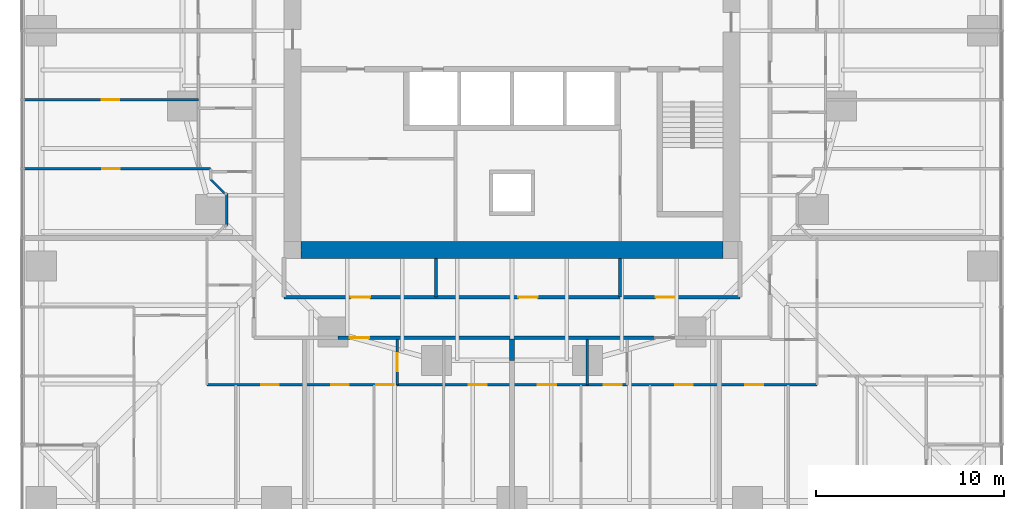
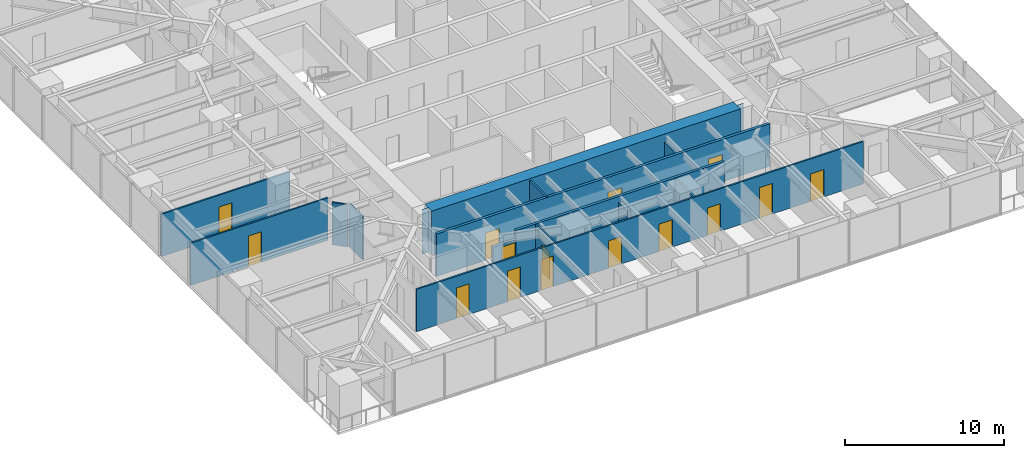
# One storey, part 9 of 18: 15 doors, 14 walls, 15 openings.
"""IFC4 building model written with IfcOpenShell, lengths in metres."""

from ifc_helpers import new_model, si_unit, direction, frame, frame_2d, origin, place, context, subcontext, project, spatial, polyline, rectangle, outline, extrude, material, layer, layer_set, type_object, element, fill, save


model = new_model("IFC4")

# Units and contexts
model_context = context("Model", 3, precision=1e-05, world=origin(), true_north=direction((0.0, 1.0)))
body_context = subcontext(model_context, "Body", "Model", "MODEL_VIEW")
ifc_project = project(units=[si_unit("LENGTHUNIT", "METRE"), si_unit("AREAUNIT", "SQUARE_METRE"), si_unit("VOLUMEUNIT", "CUBIC_METRE"), si_unit("PLANEANGLEUNIT", "RADIAN"), si_unit("MASSUNIT", "GRAM", prefix="KILO")], contexts=[model_context])

# Site, building, storey
site_placement = place(None, origin())
site = spatial("IfcSite", under=ifc_project, at=site_placement, CompositionType="ELEMENT")
building_placement = place(site_placement, origin())
building = spatial("IfcBuilding", under=site, at=building_placement, Name="Torsade Residences", CompositionType="ELEMENT")
storey_placement = place(building_placement, frame((0.0, 0.0, 25.199951171875)))
storey = spatial("IfcBuildingStorey", under=building, at=storey_placement, Name="L06", CompositionType="ELEMENT", Elevation=25.199951171875)

# Wall
ifc_material_1 = material(Name="Concrete 80 MPa", Category="concrete")
ifc_layer_1 = layer(ifc_material_1, 0.89990234375)
ifc_layer_set_1 = layer_set([ifc_layer_1], Name="Concrete 80 MPa")
wall_type_1 = type_object("IfcWallType", Name="CORE WALL 900", PredefinedType="SHEAR", material=ifc_layer_set_1)
wall_1_placement = place(storey_placement, frame((51.199951171875, 18.35009765625, 0.0), z_axis=(0.0, 0.0, 1.0), x_axis=(-1.0, 0.0, 0.0)))
element("IfcWall", 1, at=wall_1_placement, inside=storey, type_object=wall_type_1, Name="Core wall S L06", PredefinedType="SHEAR", context=body_context, shape_type="SweptSolid", body=[
    extrude(outline(polyline([(0.0, -0.449951171875), (22.39990234375, -0.449951171875), (22.39990234375, -0.02490234375), (22.849853515625, -0.02490234375), (22.849853515625, 0.02490234375), (22.39990234375, 0.02490234375), (22.39990234375, 0.449951171875), (0.0, 0.449951171875), (0.0, 0.02490234375), (-0.449951171875, 0.02490234375), (-0.449951171875, -0.02490234375), (0.0, -0.02490234375), (0.0, -0.449951171875)])), origin(), (0.0, 0.0, 1.0), 3.400146484375),
])

# Wall, opening, door
ifc_material_2 = material(Name="Plasterboard on steel stud", Category="steel")
ifc_layer_2 = layer(ifc_material_2, 0.199951171875)
ifc_layer_set_2 = layer_set([ifc_layer_2], Name="Plasterboard on steel stud")
wall_type_2 = type_object("IfcWallType", Name="CORRIDOR WALL 200", PredefinedType="PARTITIONING", material=ifc_layer_set_2)
wall_2_placement = place(storey_placement, frame((30.75830078125, 13.699951171875, 0.0), z_axis=(0.0, 0.0, 1.0), x_axis=(1.0, 0.0, 0.0)))
wall_2 = element("IfcWall", 2, at=wall_2_placement, inside=storey, type_object=wall_type_2, Name="Corridor wall L06", PredefinedType="PARTITIONING", context=body_context, shape_type="SweptSolid", body=[
    extrude(rectangle(XDim=1.683349609375, YDim=0.199951171875, at=frame_2d((0.841796875, 0.0))), origin(), (0.0, 0.0, 1.0), 2.550048828125),
])
opening_1_placement = place(wall_2_placement, frame((0.63671875, 0.0, 0.0)))
opening_1 = element("IfcOpeningElement", 3, at=opening_1_placement, cuts=wall_2, Name="Opening D01", PredefinedType="OPENING", context=body_context, shape_type="SweptSolid", body=[
    extrude(rectangle(XDim=1.02001953125, YDim=2.340087890625, at=frame_2d((0.510009765625, 1.169921875))), frame((0.0, 0.10986328125, 0.0), z_axis=(0.0, -1.0, 0.0), x_axis=(1.0, 0.0, 0.0)), (0.0, 0.0, 1.0), 0.219970703125),
])
ifc_material_3 = material(Name="Solid-core timber fire door", Category="wood")
door_type_1 = type_object("IfcDoorType", Name="APARTMENT ENTRY DOOR 1020x2340", OperationType="NOTDEFINED", PredefinedType="DOOR", material=ifc_material_3)
door_1_placement = place(opening_1_placement, origin())
door_1 = element("IfcDoor", 4, at=door_1_placement, inside=storey, type_object=door_type_1, Name="Door Residential corridor to Kitchen and dining", OperationType="SINGLE_SWING_LEFT", OverallHeight=2.340087890625, OverallWidth=1.02001953125, PredefinedType="DOOR", context=body_context, shape_type="SweptSolid", body=[
    extrude(rectangle(XDim=1.02001953125, YDim=2.340087890625, at=frame_2d((0.510009765625, 1.169921875))), frame((0.0, 0.02490234375, 0.0), z_axis=(0.0, -1.0, 0.0), x_axis=(1.0, 0.0, 0.0)), (0.0, 0.0, 1.0), 0.050048828125),
])
fill(opening_1, door_1)

# Wall
wall_3_placement = place(storey_placement, frame((32.441650390625, 13.699951171875, 0.0), z_axis=(0.0, 0.0, 1.0), x_axis=(1.0, 0.0, 0.0)))
element("IfcWall", 5, at=wall_3_placement, inside=storey, type_object=wall_type_2, Name="Corridor wall L06", PredefinedType="PARTITIONING", context=body_context, shape_type="SweptSolid", body=[
    extrude(rectangle(XDim=15.11669921875, YDim=0.199951171875, at=frame_2d((7.558349609375, 0.0))), origin(), (0.0, 0.0, 1.0), 3.25),
])

# Wall, openings, doors
wall_4_placement = place(storey_placement, frame((27.89990234375, 15.85009765625, 0.0), z_axis=(0.0, 0.0, 1.0), x_axis=(1.0, 0.0, 0.0)))
wall_4 = element("IfcWall", 6, at=wall_4_placement, inside=storey, type_object=wall_type_2, Name="Corridor wall L06", PredefinedType="PARTITIONING", context=body_context, shape_type="SweptSolid", body=[
    extrude(rectangle(XDim=24.2001953125, YDim=0.199951171875, at=frame_2d((12.10009765625, 0.0))), origin(), (0.0, 0.0, 1.0), 3.25),
])
opening_2_placement = place(wall_4_placement, frame((12.43701171875, 0.0, 0.0)))
opening_2 = element("IfcOpeningElement", 7, at=opening_2_placement, cuts=wall_4, Name="Opening D03", PredefinedType="OPENING", context=body_context, shape_type="SweptSolid", body=[
    extrude(rectangle(XDim=1.02001953125, YDim=2.10009765625, at=frame_2d((0.510009765625, 1.050048828125))), frame((0.0, 0.10986328125, 0.0), z_axis=(0.0, -1.0, 0.0), x_axis=(1.0, 0.0, 0.0)), (0.0, 0.0, 1.0), 0.219970703125),
])
opening_3_placement = place(wall_4_placement, frame((3.544189453125, 0.0, 0.0)))
opening_3 = element("IfcOpeningElement", 8, at=opening_3_placement, cuts=wall_4, Name="Opening D03", PredefinedType="OPENING", context=body_context, shape_type="SweptSolid", body=[
    extrude(rectangle(XDim=1.02001953125, YDim=2.10009765625, at=frame_2d((0.510009765625, 1.050048828125))), frame((0.0, 0.10986328125, 0.0), z_axis=(0.0, -1.0, 0.0), x_axis=(1.0, 0.0, 0.0)), (0.0, 0.0, 1.0), 0.219970703125),
])
opening_4_placement = place(wall_4_placement, frame((19.732666015625, 0.0, 0.0)))
opening_4 = element("IfcOpeningElement", 9, at=opening_4_placement, cuts=wall_4, Name="Opening D03", PredefinedType="OPENING", context=body_context, shape_type="SweptSolid", body=[
    extrude(rectangle(XDim=1.02001953125, YDim=2.10009765625, at=frame_2d((0.510009765625, 1.050048828125))), frame((0.0, 0.10986328125, 0.0), z_axis=(0.0, -1.0, 0.0), x_axis=(1.0, 0.0, 0.0)), (0.0, 0.0, 1.0), 0.219970703125),
])
ifc_material_4 = material(Name="Steel-framed fire door", Category="steel")
door_type_2 = type_object("IfcDoorType", Name="FIRE DOOR 1020", OperationType="NOTDEFINED", PredefinedType="DOOR", material=ifc_material_4)
door_2_placement = place(opening_2_placement, origin())
door_2 = element("IfcDoor", 10, at=door_2_placement, inside=storey, type_object=door_type_2, Name="Door Residential corridor to Bulk store", OperationType="SINGLE_SWING_RIGHT", OverallHeight=2.10009765625, OverallWidth=1.02001953125, PredefinedType="DOOR", context=body_context, shape_type="SweptSolid", body=[
    extrude(rectangle(XDim=1.02001953125, YDim=2.10009765625, at=frame_2d((0.510009765625, 1.050048828125))), frame((0.0, 0.02490234375, 0.0), z_axis=(0.0, -1.0, 0.0), x_axis=(1.0, 0.0, 0.0)), (0.0, 0.0, 1.0), 0.050048828125),
])
fill(opening_2, door_2)
door_3_placement = place(opening_3_placement, origin())
door_3 = element("IfcDoor", 11, at=door_3_placement, inside=storey, type_object=door_type_2, Name="Door Residential corridor to Residents storage", OperationType="SINGLE_SWING_LEFT", OverallHeight=2.10009765625, OverallWidth=1.02001953125, PredefinedType="DOOR", context=body_context, shape_type="SweptSolid", body=[
    extrude(rectangle(XDim=1.02001953125, YDim=2.10009765625, at=frame_2d((0.510009765625, 1.050048828125))), frame((0.0, 0.02490234375, 0.0), z_axis=(0.0, -1.0, 0.0), x_axis=(1.0, 0.0, 0.0)), (0.0, 0.0, 1.0), 0.050048828125),
])
fill(opening_3, door_3)
door_4_placement = place(opening_4_placement, origin())
door_4 = element("IfcDoor", 12, at=door_4_placement, inside=storey, type_object=door_type_2, Name="Door Residential corridor to Parcel room", OperationType="SINGLE_SWING_LEFT", OverallHeight=2.10009765625, OverallWidth=1.02001953125, PredefinedType="DOOR", context=body_context, shape_type="SweptSolid", body=[
    extrude(rectangle(XDim=1.02001953125, YDim=2.10009765625, at=frame_2d((0.510009765625, 1.050048828125))), frame((0.0, 0.02490234375, 0.0), z_axis=(0.0, -1.0, 0.0), x_axis=(1.0, 0.0, 0.0)), (0.0, 0.0, 1.0), 0.050048828125),
])
fill(opening_4, door_4)

# Walls
ifc_material_5 = material(Name="Plasterboard on steel stud", Category="steel")
ifc_layer_3 = layer(ifc_material_5, 0.1201171875)
ifc_layer_set_3 = layer_set([ifc_layer_3], Name="Plasterboard on steel stud")
wall_type_3 = type_object("IfcWallType", Name="PARTITION 120", PredefinedType="PARTITIONING", material=ifc_layer_set_3)
wall_5_placement = place(storey_placement, frame((24.85009765625, 19.64990234375, 0.0), z_axis=(0.0, 0.0, 1.0), x_axis=(0.0, 1.0, 0.0)))
element("IfcWall", 13, at=wall_5_placement, inside=storey, type_object=wall_type_3, Name="Partition L06", PredefinedType="PARTITIONING", context=body_context, shape_type="SweptSolid", body=[
    extrude(rectangle(XDim=1.7001953125, YDim=0.1201171875, at=frame_2d((0.85009765625, 0.0))), origin(), (0.0, 0.0, 1.0), 3.25),
])
wall_6_placement = place(storey_placement, frame((24.75, 21.35009765625, 0.0), z_axis=(0.0, 0.0, 1.0), x_axis=(-0.707106781187, 0.707106781187, 0.0)))
element("IfcWall", 14, at=wall_6_placement, inside=storey, type_object=wall_type_3, Name="Partition L06", PredefinedType="PARTITIONING", context=body_context, shape_type="SweptSolid", body=[
    extrude(rectangle(XDim=1.060546875, YDim=0.1201171875, at=frame_2d((0.5302734375, 0.0))), origin(), (0.0, 0.0, 1.0), 3.25),
])

# Wall, opening, door
wall_7_placement = place(storey_placement, frame((24.0, 22.666748046875, 0.0), z_axis=(0.0, 0.0, 1.0), x_axis=(-1.0, 0.0, 0.0)))
wall_7 = element("IfcWall", 15, at=wall_7_placement, inside=storey, type_object=wall_type_3, Name="Partition L06", PredefinedType="PARTITIONING", context=body_context, shape_type="SweptSolid", body=[
    extrude(rectangle(XDim=9.9599609375, YDim=0.1201171875, at=frame_2d((4.97998046875, 0.0))), origin(), (0.0, 0.0, 1.0), 3.25),
])
opening_5_placement = place(wall_7_placement, frame((4.840087890625, 0.0, 0.0)))
opening_5 = element("IfcOpeningElement", 16, at=opening_5_placement, cuts=wall_7, Name="Opening D02", PredefinedType="OPENING", context=body_context, shape_type="SweptSolid", body=[
    extrude(rectangle(XDim=0.919921875, YDim=2.340087890625, at=frame_2d((0.4599609375, 1.169921875))), frame((0.0, 0.070068359375, 0.0), z_axis=(0.0, -1.0, 0.0), x_axis=(1.0, 0.0, 0.0)), (0.0, 0.0, 1.0), 0.14013671875),
])
ifc_material_6 = material(Name="Hollow-core timber door", Category="wood")
door_type_3 = type_object("IfcDoorType", Name="INTERNAL DOOR 920x2340", OperationType="NOTDEFINED", PredefinedType="DOOR", material=ifc_material_6)
door_5_placement = place(opening_5_placement, origin())
door_5 = element("IfcDoor", 17, at=door_5_placement, inside=storey, type_object=door_type_3, Name="Door Bedroom 2 to Bedroom 1", OperationType="SINGLE_SWING_LEFT", OverallHeight=2.340087890625, OverallWidth=0.919921875, PredefinedType="DOOR", context=body_context, shape_type="SweptSolid", body=[
    extrude(rectangle(XDim=0.919921875, YDim=2.340087890625, at=frame_2d((0.4599609375, 1.169921875))), frame((0.0, 0.02490234375, 0.0), z_axis=(0.0, -1.0, 0.0), x_axis=(1.0, 0.0, 0.0)), (0.0, 0.0, 1.0), 0.050048828125),
])
fill(opening_5, door_5)

wall_8_placement = place(storey_placement, frame((23.35009765625, 26.333251953125, 0.0), z_axis=(0.0, 0.0, 1.0), x_axis=(-1.0, 0.0, 0.0)))
wall_8 = element("IfcWall", 18, at=wall_8_placement, inside=storey, type_object=wall_type_3, Name="Partition L06", PredefinedType="PARTITIONING", context=body_context, shape_type="SweptSolid", body=[
    extrude(rectangle(XDim=9.31005859375, YDim=0.1201171875, at=frame_2d((4.655029296875, 0.0))), origin(), (0.0, 0.0, 1.0), 3.25),
])
opening_6_placement = place(wall_8_placement, frame((4.215087890625, 0.0, 0.0)))
opening_6 = element("IfcOpeningElement", 19, at=opening_6_placement, cuts=wall_8, Name="Opening D02", PredefinedType="OPENING", context=body_context, shape_type="SweptSolid", body=[
    extrude(rectangle(XDim=0.919921875, YDim=2.340087890625, at=frame_2d((0.4599609375, 1.169921875))), frame((0.0, 0.070068359375, 0.0), z_axis=(0.0, -1.0, 0.0), x_axis=(1.0, 0.0, 0.0)), (0.0, 0.0, 1.0), 0.14013671875),
])
door_6_placement = place(opening_6_placement, origin())
door_6 = element("IfcDoor", 20, at=door_6_placement, inside=storey, type_object=door_type_3, Name="Door Living room to Bedroom 2", OperationType="SINGLE_SWING_LEFT", OverallHeight=2.340087890625, OverallWidth=0.919921875, PredefinedType="DOOR", context=body_context, shape_type="SweptSolid", body=[
    extrude(rectangle(XDim=0.919921875, YDim=2.340087890625, at=frame_2d((0.4599609375, 1.169921875))), frame((0.0, 0.02490234375, 0.0), z_axis=(0.0, -1.0, 0.0), x_axis=(1.0, 0.0, 0.0)), (0.0, 0.0, 1.0), 0.050048828125),
])
fill(opening_6, door_6)

# Wall, openings, doors
wall_9_placement = place(storey_placement, frame((56.199951171875, 11.199951171875, 0.0), z_axis=(0.0, 0.0, 1.0), x_axis=(-1.0, 0.0, 0.0)))
wall_9 = element("IfcWall", 21, at=wall_9_placement, inside=storey, type_object=wall_type_3, Name="Partition L06", PredefinedType="PARTITIONING", context=body_context, shape_type="SweptSolid", body=[
    extrude(rectangle(XDim=32.39990234375, YDim=0.1201171875, at=frame_2d((16.199951171875, 0.0))), origin(), (0.0, 0.0, 1.0), 3.25),
])
opening_7_placement = place(wall_9_placement, frame((24.881591796875, 0.0, 0.0)))
opening_7 = element("IfcOpeningElement", 22, at=opening_7_placement, cuts=wall_9, Name="Opening D02", PredefinedType="OPENING", context=body_context, shape_type="SweptSolid", body=[
    extrude(rectangle(XDim=0.919921875, YDim=2.340087890625, at=frame_2d((0.4599609375, 1.169921875))), frame((0.0, 0.070068359375, 0.0), z_axis=(0.0, -1.0, 0.0), x_axis=(1.0, 0.0, 0.0)), (0.0, 0.0, 1.0), 0.14013671875),
])
opening_8_placement = place(wall_9_placement, frame((22.4765625, 0.0, 0.0)))
opening_8 = element("IfcOpeningElement", 23, at=opening_8_placement, cuts=wall_9, Name="Opening D02", PredefinedType="OPENING", context=body_context, shape_type="SweptSolid", body=[
    extrude(rectangle(XDim=0.919921875, YDim=2.340087890625, at=frame_2d((0.4599609375, 1.169921875))), frame((0.0, 0.070068359375, 0.0), z_axis=(0.0, -1.0, 0.0), x_axis=(1.0, 0.0, 0.0)), (0.0, 0.0, 1.0), 0.14013671875),
])
opening_9_placement = place(wall_9_placement, frame((6.598388671875, 0.0, 0.0)))
opening_9 = element("IfcOpeningElement", 24, at=opening_9_placement, cuts=wall_9, Name="Opening D02", PredefinedType="OPENING", context=body_context, shape_type="SweptSolid", body=[
    extrude(rectangle(XDim=0.919921875, YDim=2.340087890625, at=frame_2d((0.4599609375, 1.169921875))), frame((0.0, 0.070068359375, 0.0), z_axis=(0.0, -1.0, 0.0), x_axis=(1.0, 0.0, 0.0)), (0.0, 0.0, 1.0), 0.14013671875),
])
opening_10_placement = place(wall_9_placement, frame((28.598388671875, 0.0, 0.0)))
opening_10 = element("IfcOpeningElement", 25, at=opening_10_placement, cuts=wall_9, Name="Opening D02", PredefinedType="OPENING", context=body_context, shape_type="SweptSolid", body=[
    extrude(rectangle(XDim=0.919921875, YDim=2.340087890625, at=frame_2d((0.4599609375, 1.169921875))), frame((0.0, 0.070068359375, 0.0), z_axis=(0.0, -1.0, 0.0), x_axis=(1.0, 0.0, 0.0)), (0.0, 0.0, 1.0), 0.14013671875),
])
opening_11_placement = place(wall_9_placement, frame((2.861572265625, 0.0, 0.0)))
opening_11 = element("IfcOpeningElement", 26, at=opening_11_placement, cuts=wall_9, Name="Opening D05", PredefinedType="OPENING", context=body_context, shape_type="SweptSolid", body=[
    extrude(rectangle(XDim=0.9599609375, YDim=2.10009765625, at=frame_2d((0.47998046875, 1.050048828125))), frame((0.0, 0.070068359375, 0.0), z_axis=(0.0, -1.0, 0.0), x_axis=(1.0, 0.0, 0.0)), (0.0, 0.0, 1.0), 0.14013671875),
])
opening_12_placement = place(wall_9_placement, frame((10.363037109375, 0.0, 0.0)))
opening_12 = element("IfcOpeningElement", 27, at=opening_12_placement, cuts=wall_9, Name="Opening D05", PredefinedType="OPENING", context=body_context, shape_type="SweptSolid", body=[
    extrude(rectangle(XDim=0.9599609375, YDim=2.10009765625, at=frame_2d((0.47998046875, 1.050048828125))), frame((0.0, 0.070068359375, 0.0), z_axis=(0.0, -1.0, 0.0), x_axis=(1.0, 0.0, 0.0)), (0.0, 0.0, 1.0), 0.14013671875),
])
opening_13_placement = place(wall_9_placement, frame((13.861572265625, 0.0, 0.0)))
opening_13 = element("IfcOpeningElement", 28, at=opening_13_placement, cuts=wall_9, Name="Opening D05", PredefinedType="OPENING", context=body_context, shape_type="SweptSolid", body=[
    extrude(rectangle(XDim=0.9599609375, YDim=2.10009765625, at=frame_2d((0.47998046875, 1.050048828125))), frame((0.0, 0.070068359375, 0.0), z_axis=(0.0, -1.0, 0.0), x_axis=(1.0, 0.0, 0.0)), (0.0, 0.0, 1.0), 0.14013671875),
])
opening_14_placement = place(wall_9_placement, frame((17.52880859375, 0.0, 0.0)))
opening_14 = element("IfcOpeningElement", 29, at=opening_14_placement, cuts=wall_9, Name="Opening D05", PredefinedType="OPENING", context=body_context, shape_type="SweptSolid", body=[
    extrude(rectangle(XDim=0.9599609375, YDim=2.10009765625, at=frame_2d((0.47998046875, 1.050048828125))), frame((0.0, 0.070068359375, 0.0), z_axis=(0.0, -1.0, 0.0), x_axis=(1.0, 0.0, 0.0)), (0.0, 0.0, 1.0), 0.14013671875),
])
ifc_material_7 = material(Name="Hollow-core timber door in a steel cavity frame", Category="steel")
door_type_4 = type_object("IfcDoorType", Name="BATHROOM CAVITY SLIDING DOOR 960", OperationType="SLIDING_TO_LEFT", PredefinedType="DOOR", material=ifc_material_7)
door_7_placement = place(opening_11_placement, origin())
door_7 = element("IfcDoor", 30, at=door_7_placement, inside=storey, type_object=door_type_4, Name="Door Bathroom to Study", OperationType="SLIDING_TO_LEFT", OverallHeight=2.10009765625, OverallWidth=0.9599609375, PredefinedType="DOOR", context=body_context, shape_type="SweptSolid", body=[
    extrude(rectangle(XDim=0.9599609375, YDim=2.10009765625, at=frame_2d((0.47998046875, 1.050048828125))), frame((0.0, 0.02490234375, 0.0), z_axis=(0.0, -1.0, 0.0), x_axis=(1.0, 0.0, 0.0)), (0.0, 0.0, 1.0), 0.050048828125),
])
fill(opening_11, door_7)
door_8_placement = place(opening_12_placement, origin())
door_8 = element("IfcDoor", 31, at=door_8_placement, inside=storey, type_object=door_type_4, Name="Door Bathroom to Bedroom 2", OperationType="SLIDING_TO_LEFT", OverallHeight=2.10009765625, OverallWidth=0.9599609375, PredefinedType="DOOR", context=body_context, shape_type="SweptSolid", body=[
    extrude(rectangle(XDim=0.9599609375, YDim=2.10009765625, at=frame_2d((0.47998046875, 1.050048828125))), frame((0.0, 0.02490234375, 0.0), z_axis=(0.0, -1.0, 0.0), x_axis=(1.0, 0.0, 0.0)), (0.0, 0.0, 1.0), 0.050048828125),
])
fill(opening_12, door_8)
door_9_placement = place(opening_13_placement, origin())
door_9 = element("IfcDoor", 32, at=door_9_placement, inside=storey, type_object=door_type_4, Name="Door Living room to Ensuite", OperationType="SLIDING_TO_LEFT", OverallHeight=2.10009765625, OverallWidth=0.9599609375, PredefinedType="DOOR", context=body_context, shape_type="SweptSolid", body=[
    extrude(rectangle(XDim=0.9599609375, YDim=2.10009765625, at=frame_2d((0.47998046875, 1.050048828125))), frame((0.0, 0.02490234375, 0.0), z_axis=(0.0, -1.0, 0.0), x_axis=(1.0, 0.0, 0.0)), (0.0, 0.0, 1.0), 0.050048828125),
])
fill(opening_13, door_9)
door_10_placement = place(opening_14_placement, origin())
door_10 = element("IfcDoor", 33, at=door_10_placement, inside=storey, type_object=door_type_4, Name="Door Bedroom 1 to Bathroom", OperationType="SLIDING_TO_LEFT", OverallHeight=2.10009765625, OverallWidth=0.9599609375, PredefinedType="DOOR", context=body_context, shape_type="SweptSolid", body=[
    extrude(rectangle(XDim=0.9599609375, YDim=2.10009765625, at=frame_2d((0.47998046875, 1.050048828125))), frame((0.0, 0.02490234375, 0.0), z_axis=(0.0, -1.0, 0.0), x_axis=(1.0, 0.0, 0.0)), (0.0, 0.0, 1.0), 0.050048828125),
])
fill(opening_14, door_10)
door_11_placement = place(opening_7_placement, origin())
door_11 = element("IfcDoor", 34, at=door_11_placement, inside=storey, type_object=door_type_3, Name="Door Kitchen and dining to Living room", OperationType="SINGLE_SWING_RIGHT", OverallHeight=2.340087890625, OverallWidth=0.919921875, PredefinedType="DOOR", context=body_context, shape_type="SweptSolid", body=[
    extrude(rectangle(XDim=0.919921875, YDim=2.340087890625, at=frame_2d((0.4599609375, 1.169921875))), frame((0.0, 0.02490234375, 0.0), z_axis=(0.0, -1.0, 0.0), x_axis=(1.0, 0.0, 0.0)), (0.0, 0.0, 1.0), 0.050048828125),
])
fill(opening_7, door_11)
door_12_placement = place(opening_8_placement, origin())
door_12 = element("IfcDoor", 35, at=door_12_placement, inside=storey, type_object=door_type_3, Name="Door Kitchen and dining to Bedroom 2", OperationType="SINGLE_SWING_RIGHT", OverallHeight=2.340087890625, OverallWidth=0.919921875, PredefinedType="DOOR", context=body_context, shape_type="SweptSolid", body=[
    extrude(rectangle(XDim=0.919921875, YDim=2.340087890625, at=frame_2d((0.4599609375, 1.169921875))), frame((0.0, 0.02490234375, 0.0), z_axis=(0.0, -1.0, 0.0), x_axis=(1.0, 0.0, 0.0)), (0.0, 0.0, 1.0), 0.050048828125),
])
fill(opening_8, door_12)
door_13_placement = place(opening_9_placement, origin())
door_13 = element("IfcDoor", 36, at=door_13_placement, inside=storey, type_object=door_type_3, Name="Door Kitchen and dining to Bedroom 1", OperationType="SINGLE_SWING_LEFT", OverallHeight=2.340087890625, OverallWidth=0.919921875, PredefinedType="DOOR", context=body_context, shape_type="SweptSolid", body=[
    extrude(rectangle(XDim=0.919921875, YDim=2.340087890625, at=frame_2d((0.4599609375, 1.169921875))), frame((0.0, 0.02490234375, 0.0), z_axis=(0.0, -1.0, 0.0), x_axis=(1.0, 0.0, 0.0)), (0.0, 0.0, 1.0), 0.050048828125),
])
fill(opening_9, door_13)
door_14_placement = place(opening_10_placement, origin())
door_14 = element("IfcDoor", 37, at=door_14_placement, inside=storey, type_object=door_type_3, Name="Door Kitchen and dining to Study", OperationType="SINGLE_SWING_RIGHT", OverallHeight=2.340087890625, OverallWidth=0.919921875, PredefinedType="DOOR", context=body_context, shape_type="SweptSolid", body=[
    extrude(rectangle(XDim=0.919921875, YDim=2.340087890625, at=frame_2d((0.4599609375, 1.169921875))), frame((0.0, 0.02490234375, 0.0), z_axis=(0.0, -1.0, 0.0), x_axis=(1.0, 0.0, 0.0)), (0.0, 0.0, 1.0), 0.050048828125),
])
fill(opening_10, door_14)

# Wall, opening, door
wall_10_placement = place(storey_placement, frame((33.909912109375, 13.60009765625, 0.0), z_axis=(0.0, 0.0, 1.0), x_axis=(0.0, -1.0, 0.0)))
wall_10 = element("IfcWall", 38, at=wall_10_placement, inside=storey, type_object=wall_type_3, Name="Partition L06", PredefinedType="PARTITIONING", context=body_context, shape_type="SweptSolid", body=[
    extrude(rectangle(XDim=2.400146484375, YDim=0.1201171875, at=frame_2d((1.2001953125, 0.0))), origin(), (0.0, 0.0, 1.0), 3.25),
])
opening_15_placement = place(wall_10_placement, frame((0.719970703125, 0.0, 0.0)))
opening_15 = element("IfcOpeningElement", 39, at=opening_15_placement, cuts=wall_10, Name="Opening D05", PredefinedType="OPENING", context=body_context, shape_type="SweptSolid", body=[
    extrude(rectangle(XDim=0.9599609375, YDim=2.10009765625, at=frame_2d((0.47998046875, 1.050048828125))), frame((0.0, 0.070068359375, 0.0), z_axis=(0.0, -1.0, 0.0), x_axis=(1.0, 0.0, 0.0)), (0.0, 0.0, 1.0), 0.14013671875),
])
door_15_placement = place(opening_15_placement, origin())
door_15 = element("IfcDoor", 40, at=door_15_placement, inside=storey, type_object=door_type_4, Name="Door Kitchen and dining to Ensuite", OperationType="SLIDING_TO_LEFT", OverallHeight=2.10009765625, OverallWidth=0.9599609375, PredefinedType="DOOR", context=body_context, shape_type="SweptSolid", body=[
    extrude(rectangle(XDim=0.9599609375, YDim=2.10009765625, at=frame_2d((0.47998046875, 1.050048828125))), frame((0.0, 0.02490234375, 0.0), z_axis=(0.0, -1.0, 0.0), x_axis=(1.0, 0.0, 0.0)), (0.0, 0.0, 1.0), 0.050048828125),
])
fill(opening_15, door_15)

# Walls
wall_11_placement = place(storey_placement, frame((44.0, 11.199951171875, 0.0), z_axis=(0.0, 0.0, 1.0), x_axis=(0.0, 1.0, 0.0)))
element("IfcWall", 41, at=wall_11_placement, inside=storey, type_object=wall_type_3, Name="Partition L06", PredefinedType="PARTITIONING", context=body_context, shape_type="SweptSolid", body=[
    extrude(rectangle(XDim=2.400146484375, YDim=0.1201171875, at=frame_2d((1.2001953125, 0.0))), origin(), (0.0, 0.0, 1.0), 3.25),
])
ifc_material_8 = material(Name="Masonry-lined stud party wall", Category="masonry")
ifc_layer_4 = layer(ifc_material_8, 0.25)
ifc_layer_set_4 = layer_set([ifc_layer_4], Name="Masonry-lined stud party wall")
wall_type_4 = type_object("IfcWallType", Name="PARTY WALL 250", PredefinedType="PARTITIONING", material=ifc_layer_set_4)
wall_12_placement = place(storey_placement, frame((40.0, 12.5, 0.0), z_axis=(0.0, 0.0, 1.0), x_axis=(0.0, 1.0, 0.0)))
element("IfcWall", 42, at=wall_12_placement, inside=storey, type_object=wall_type_4, Name="Party wall L06", PredefinedType="PARTITIONING", context=body_context, shape_type="SweptSolid", body=[
    extrude(rectangle(XDim=1.139892578125, YDim=0.25, at=frame_2d((0.56982421875, 0.0))), origin(), (0.0, 0.0, 1.0), 2.796142578125),
])
ifc_material_9 = material(Name="Reinforced blockwork", Category="masonry")
ifc_layer_5 = layer(ifc_material_9, 0.14990234375)
ifc_layer_set_5 = layer_set([ifc_layer_5], Name="Reinforced blockwork")
wall_type_5 = type_object("IfcWallType", Name="SERVICE ROOM WALL 150", PredefinedType="SOLIDWALL", material=ifc_layer_set_5)
wall_13_placement = place(storey_placement, frame((35.95849609375, 15.85009765625, 0.0), z_axis=(0.0, 0.0, 1.0), x_axis=(0.0, 1.0, 0.0)))
element("IfcWall", 43, at=wall_13_placement, inside=storey, type_object=wall_type_5, Name="Service room wall L06", PredefinedType="SOLIDWALL", context=body_context, shape_type="SweptSolid", body=[
    extrude(rectangle(XDim=2.0498046875, YDim=0.14990234375, at=frame_2d((1.02490234375, 0.0))), origin(), (0.0, 0.0, 1.0), 3.25),
])
wall_14_placement = place(storey_placement, frame((45.7353515625, 15.85009765625, 0.0), z_axis=(0.0, 0.0, 1.0), x_axis=(0.0, 1.0, 0.0)))
element("IfcWall", 44, at=wall_14_placement, inside=storey, type_object=wall_type_5, Name="Service room wall L06", PredefinedType="SOLIDWALL", context=body_context, shape_type="SweptSolid", body=[
    extrude(rectangle(XDim=2.0498046875, YDim=0.14990234375, at=frame_2d((1.02490234375, 0.0))), origin(), (0.0, 0.0, 1.0), 2.796142578125),
])

save(model, "model.ifc")
